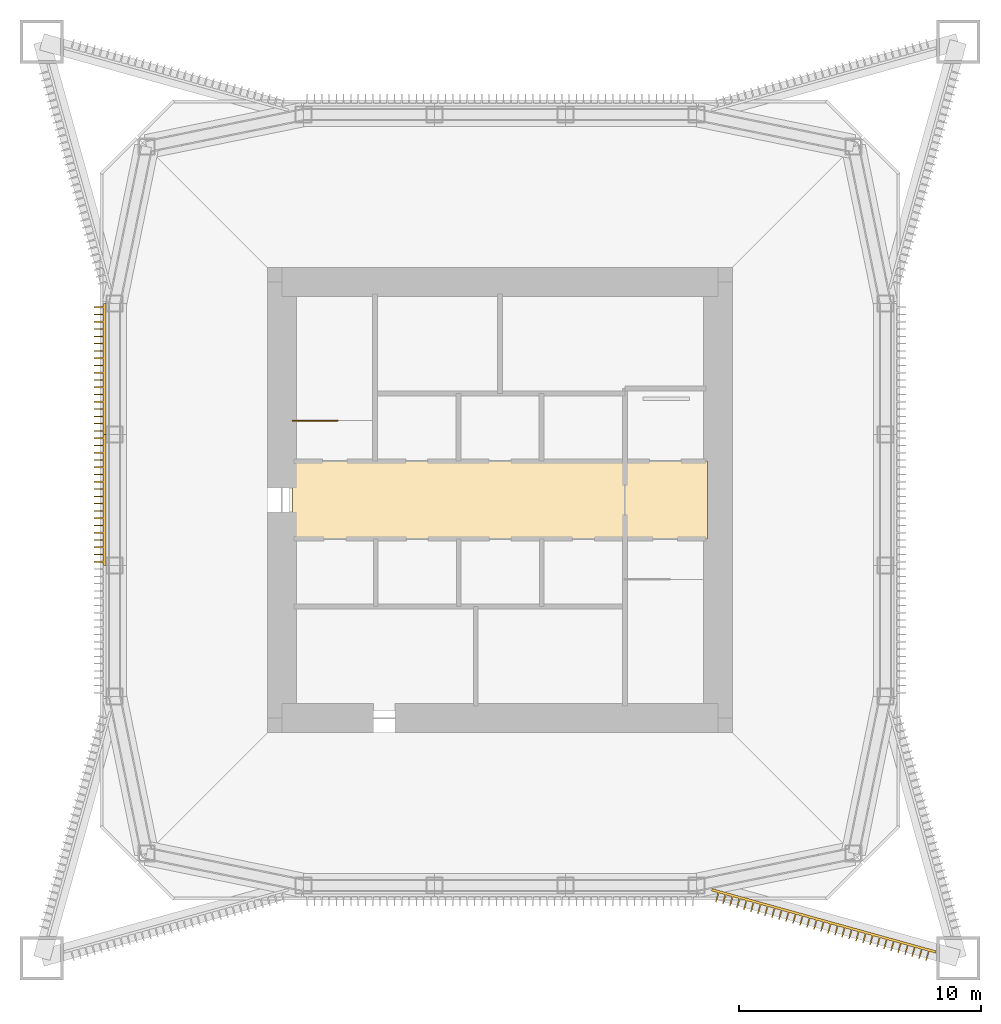
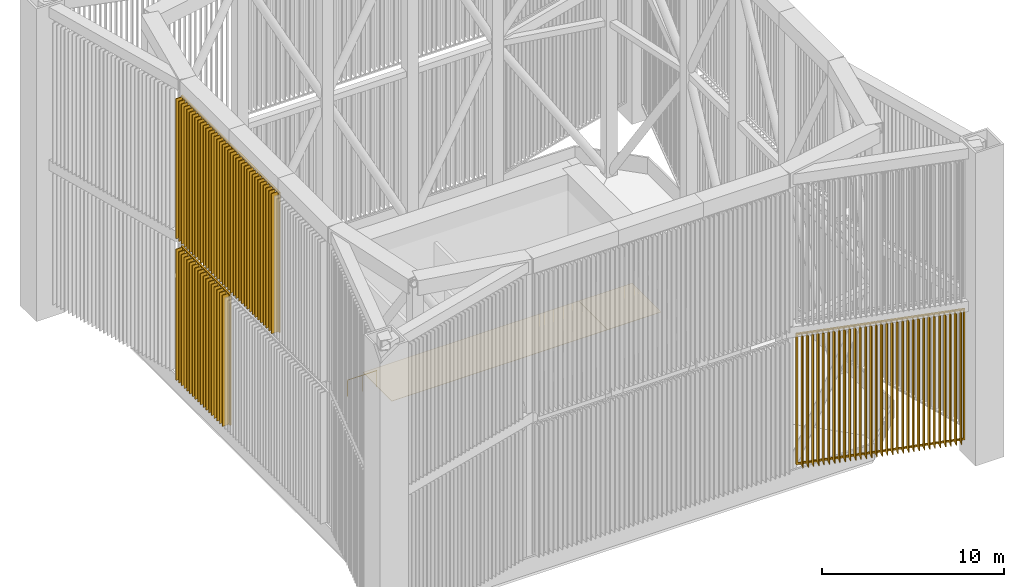
# One storey, part 7 of 13: 4 shading devices, 2 coverings, 1 railing.
"""IFC4 building model written with IfcOpenShell, lengths in metres."""

from ifc_helpers import new_model, si_unit, direction, frame, origin, origin_2d, place, context, subcontext, project, spatial, polyline, rectangle, circle, outline, extrude, material, layer, layer_set, constituent, constituent_set, type_object, element, save


model = new_model("IFC4")

# Units and contexts
model_context = context("Model", 3, precision=1e-05, world=origin(), true_north=direction((0.0, 1.0)))
body_context = subcontext(model_context, "Body", "Model", "MODEL_VIEW")
ifc_project = project(units=[si_unit("LENGTHUNIT", "METRE"), si_unit("AREAUNIT", "SQUARE_METRE"), si_unit("VOLUMEUNIT", "CUBIC_METRE"), si_unit("PLANEANGLEUNIT", "RADIAN"), si_unit("MASSUNIT", "GRAM", prefix="KILO")], contexts=[model_context])

# Site, building, storey
site_placement = place(None, origin())
site = spatial("IfcSite", under=ifc_project, at=site_placement, CompositionType="ELEMENT")
building_placement = place(site_placement, origin())
building = spatial("IfcBuilding", under=site, at=building_placement, Name="Iwan Alto Co-Living Towers", CompositionType="ELEMENT")
storey_placement = place(building_placement, frame((0.0, 0.0, 267.5)))
storey = spatial("IfcBuildingStorey", under=building, at=storey_placement, Name="RF", CompositionType="ELEMENT", Elevation=267.5)

# Coverings
ifc_material_1 = material(Name="Mineral fibre acoustic tiles on steel grid", Category="steel")
ifc_layer_1 = layer(ifc_material_1, 0.02001953125)
ifc_layer_set_1 = layer_set([ifc_layer_1], Name="ACOUSTIC TILE CEILING 20")
covering_type = type_object("IfcCoveringType", Name="ACOUSTIC TILE CEILING 20", PredefinedType="CEILING", material=ifc_layer_set_1)
covering_1_placement = place(storey_placement, frame((0.0, 0.0, 2.60009765625)))
element("IfcCovering", 1, at=covering_1_placement, inside=storey, type_object=covering_type, Name="Ceiling Lift lobby RF", PredefinedType="CEILING", context=body_context, shape_type="SweptSolid", body=[
    extrude(outline(polyline([(-8.550048828125, -1.60009765625), (-8.550048828125, 1.60009765625), (5.14990234375, 1.60009765625), (5.14990234375, -1.60009765625), (-8.550048828125, -1.60009765625)])), origin(), (0.0, 0.0, 1.0), 0.02001953125),
])
covering_2_placement = place(storey_placement, frame((0.0, 0.0, 2.60009765625)))
element("IfcCovering", 2, at=covering_2_placement, inside=storey, type_object=covering_type, Name="Ceiling Firefighting lobby RF", PredefinedType="CEILING", context=body_context, shape_type="SweptSolid", body=[
    extrude(outline(polyline([(5.14990234375, -1.60009765625), (5.14990234375, 1.60009765625), (8.550048828125, 1.60009765625), (8.550048828125, -1.60009765625), (5.14990234375, -1.60009765625)])), origin(), (0.0, 0.0, 1.0), 0.02001953125),
])

# Shading devices
ifc_material_2 = material(Name="Aluminium 6063-T6 bronze anodised", Category="aluminium")
ifc_layer_2 = layer(ifc_material_2, 0.39990234375, Name="Fins", Category="Finish")
ifc_material_3 = material(Name="Steel ASTM A36 galvanised frame", Category="steel")
ifc_layer_3 = layer(ifc_material_3, 0.10009765625, Name="Panel frame", Category="Framing")
ifc_layer_set_2 = layer_set([ifc_layer_2, ifc_layer_3], Name="CROWN FIN SCREEN CORNER PANEL")
shading_device_type_1 = type_object("IfcShadingDeviceType", Name="CROWN FIN SCREEN CORNER PANEL", PredefinedType="USERDEFINED", material=ifc_layer_set_2)
shading_device_1_placement = place(storey_placement, frame((0.0, 0.0, -267.5)))
element("IfcShadingDevice", 3, at=shading_device_1_placement, inside=storey, type_object=shading_device_type_1, Name="T1 crown fin screen SE-S lower", ObjectType="LOUVER", PredefinedType="USERDEFINED", context=body_context, shape_type="SweptSolid", body=[
    extrude(rectangle(XDim=9.59912109375, YDim=0.10009765625, at=origin_2d()), frame((13.3603515625, -17.361083984375, 268.599853515625), z_axis=(0.0, 0.0, 1.0), x_axis=(0.963517909615, -0.267643863841, 0.0)), (0.0, 0.0, 1.0), 0.10009765625),
    extrude(rectangle(XDim=9.59912109375, YDim=0.10009765625, at=origin_2d()), frame((13.3603515625, -17.361083984375, 277.300048828125), z_axis=(0.0, 0.0, 1.0), x_axis=(0.963517909615, -0.267643863841, 0.0)), (0.0, 0.0, 1.0), 0.10009765625),
    extrude(rectangle(XDim=0.10009765625, YDim=0.10009765625, at=origin_2d()), frame((8.7841796875, -16.090087890625, 268.69482421875), z_axis=(0.0, 0.0, 1.0), x_axis=(0.963517909615, -0.267643863841, 0.0)), (0.0, 0.0, 1.0), 8.610107421875),
    extrude(rectangle(XDim=0.10009765625, YDim=0.10009765625, at=origin_2d()), frame((17.9365234375, -18.63232421875, 268.69482421875), z_axis=(0.0, 0.0, 1.0), x_axis=(0.963517909615, -0.267643863841, 0.0)), (0.0, 0.0, 1.0), 8.610107421875),
    extrude(rectangle(XDim=0.050048828125, YDim=0.405029296875, at=origin_2d()), frame((8.958251953125, -16.395263671875, 268.60009765625), z_axis=(0.0, 0.0, 1.0), x_axis=(0.963517909615, -0.267643863841, 0.0)), (0.0, 0.0, 1.0), 8.800048828125),
    extrude(rectangle(XDim=0.050048828125, YDim=0.405029296875, at=origin_2d()), frame((9.247314453125, -16.4755859375, 268.60009765625), z_axis=(0.0, 0.0, 1.0), x_axis=(0.963517909615, -0.267643863841, 0.0)), (0.0, 0.0, 1.0), 8.800048828125),
    extrude(rectangle(XDim=0.050048828125, YDim=0.405029296875, at=origin_2d()), frame((9.536376953125, -16.555908203125, 268.60009765625), z_axis=(0.0, 0.0, 1.0), x_axis=(0.963517909615, -0.267643863841, 0.0)), (0.0, 0.0, 1.0), 8.800048828125),
    extrude(rectangle(XDim=0.050048828125, YDim=0.405029296875, at=origin_2d()), frame((9.825439453125, -16.63623046875, 268.60009765625), z_axis=(0.0, 0.0, 1.0), x_axis=(0.963517909615, -0.267643863841, 0.0)), (0.0, 0.0, 1.0), 8.800048828125),
    extrude(rectangle(XDim=0.050048828125, YDim=0.405029296875, at=origin_2d()), frame((10.114501953125, -16.71630859375, 268.60009765625), z_axis=(0.0, 0.0, 1.0), x_axis=(0.963517909615, -0.267643863841, 0.0)), (0.0, 0.0, 1.0), 8.800048828125),
    extrude(rectangle(XDim=0.050048828125, YDim=0.405029296875, at=origin_2d()), frame((10.403564453125, -16.796630859375, 268.60009765625), z_axis=(0.0, 0.0, 1.0), x_axis=(0.963517909615, -0.267643863841, 0.0)), (0.0, 0.0, 1.0), 8.800048828125),
    extrude(rectangle(XDim=0.050048828125, YDim=0.405029296875, at=origin_2d()), frame((10.692626953125, -16.876953125, 268.60009765625), z_axis=(0.0, 0.0, 1.0), x_axis=(0.963517909615, -0.267643863841, 0.0)), (0.0, 0.0, 1.0), 8.800048828125),
    extrude(rectangle(XDim=0.050048828125, YDim=0.405029296875, at=origin_2d()), frame((10.981689453125, -16.957275390625, 268.60009765625), z_axis=(0.0, 0.0, 1.0), x_axis=(0.963517909615, -0.267643863841, 0.0)), (0.0, 0.0, 1.0), 8.800048828125),
    extrude(rectangle(XDim=0.050048828125, YDim=0.405029296875, at=origin_2d()), frame((11.270751953125, -17.03759765625, 268.60009765625), z_axis=(0.0, 0.0, 1.0), x_axis=(0.963517909615, -0.267643863841, 0.0)), (0.0, 0.0, 1.0), 8.800048828125),
    extrude(rectangle(XDim=0.050048828125, YDim=0.405029296875, at=origin_2d()), frame((11.559814453125, -17.117919921875, 268.60009765625), z_axis=(0.0, 0.0, 1.0), x_axis=(0.963517909615, -0.267643863841, 0.0)), (0.0, 0.0, 1.0), 8.800048828125),
    extrude(rectangle(XDim=0.050048828125, YDim=0.405029296875, at=origin_2d()), frame((11.848876953125, -17.1982421875, 268.60009765625), z_axis=(0.0, 0.0, 1.0), x_axis=(0.963517909615, -0.267643863841, 0.0)), (0.0, 0.0, 1.0), 8.800048828125),
    extrude(rectangle(XDim=0.050048828125, YDim=0.405029296875, at=origin_2d()), frame((12.137939453125, -17.278564453125, 268.60009765625), z_axis=(0.0, 0.0, 1.0), x_axis=(0.963517909615, -0.267643863841, 0.0)), (0.0, 0.0, 1.0), 8.800048828125),
    extrude(rectangle(XDim=0.050048828125, YDim=0.405029296875, at=origin_2d()), frame((12.427001953125, -17.35888671875, 268.60009765625), z_axis=(0.0, 0.0, 1.0), x_axis=(0.963517909615, -0.267643863841, 0.0)), (0.0, 0.0, 1.0), 8.800048828125),
    extrude(rectangle(XDim=0.050048828125, YDim=0.405029296875, at=origin_2d()), frame((12.716064453125, -17.439208984375, 268.60009765625), z_axis=(0.0, 0.0, 1.0), x_axis=(0.963517909615, -0.267643863841, 0.0)), (0.0, 0.0, 1.0), 8.800048828125),
    extrude(rectangle(XDim=0.050048828125, YDim=0.405029296875, at=origin_2d()), frame((13.0048828125, -17.519287109375, 268.60009765625), z_axis=(0.0, 0.0, 1.0), x_axis=(0.963517909615, -0.267643863841, 0.0)), (0.0, 0.0, 1.0), 8.800048828125),
    extrude(rectangle(XDim=0.050048828125, YDim=0.405029296875, at=origin_2d()), frame((13.294189453125, -17.599609375, 268.60009765625), z_axis=(0.0, 0.0, 1.0), x_axis=(0.963517909615, -0.267643863841, 0.0)), (0.0, 0.0, 1.0), 8.800048828125),
    extrude(rectangle(XDim=0.050048828125, YDim=0.405029296875, at=origin_2d()), frame((13.5830078125, -17.679931640625, 268.60009765625), z_axis=(0.0, 0.0, 1.0), x_axis=(0.963517909615, -0.267643863841, 0.0)), (0.0, 0.0, 1.0), 8.800048828125),
    extrude(rectangle(XDim=0.050048828125, YDim=0.405029296875, at=origin_2d()), frame((13.872314453125, -17.76025390625, 268.60009765625), z_axis=(0.0, 0.0, 1.0), x_axis=(0.963517909615, -0.267643863841, 0.0)), (0.0, 0.0, 1.0), 8.800048828125),
    extrude(rectangle(XDim=0.050048828125, YDim=0.405029296875, at=origin_2d()), frame((14.161376953125, -17.840576171875, 268.60009765625), z_axis=(0.0, 0.0, 1.0), x_axis=(0.963517909615, -0.267643863841, 0.0)), (0.0, 0.0, 1.0), 8.800048828125),
    extrude(rectangle(XDim=0.050048828125, YDim=0.405029296875, at=origin_2d()), frame((14.4501953125, -17.9208984375, 268.60009765625), z_axis=(0.0, 0.0, 1.0), x_axis=(0.963517909615, -0.267643863841, 0.0)), (0.0, 0.0, 1.0), 8.800048828125),
    extrude(rectangle(XDim=0.050048828125, YDim=0.405029296875, at=origin_2d()), frame((14.739501953125, -18.001220703125, 268.60009765625), z_axis=(0.0, 0.0, 1.0), x_axis=(0.963517909615, -0.267643863841, 0.0)), (0.0, 0.0, 1.0), 8.800048828125),
    extrude(rectangle(XDim=0.050048828125, YDim=0.405029296875, at=origin_2d()), frame((15.0283203125, -18.081298828125, 268.60009765625), z_axis=(0.0, 0.0, 1.0), x_axis=(0.963517909615, -0.267643863841, 0.0)), (0.0, 0.0, 1.0), 8.800048828125),
    extrude(rectangle(XDim=0.050048828125, YDim=0.405029296875, at=origin_2d()), frame((15.3173828125, -18.16162109375, 268.60009765625), z_axis=(0.0, 0.0, 1.0), x_axis=(0.963517909615, -0.267643863841, 0.0)), (0.0, 0.0, 1.0), 8.800048828125),
    extrude(rectangle(XDim=0.050048828125, YDim=0.405029296875, at=origin_2d()), frame((15.6064453125, -18.241943359375, 268.60009765625), z_axis=(0.0, 0.0, 1.0), x_axis=(0.963517909615, -0.267643863841, 0.0)), (0.0, 0.0, 1.0), 8.800048828125),
    extrude(rectangle(XDim=0.050048828125, YDim=0.405029296875, at=origin_2d()), frame((15.8955078125, -18.322265625, 268.60009765625), z_axis=(0.0, 0.0, 1.0), x_axis=(0.963517909615, -0.267643863841, 0.0)), (0.0, 0.0, 1.0), 8.800048828125),
    extrude(rectangle(XDim=0.050048828125, YDim=0.405029296875, at=origin_2d()), frame((16.1845703125, -18.402587890625, 268.60009765625), z_axis=(0.0, 0.0, 1.0), x_axis=(0.963517909615, -0.267643863841, 0.0)), (0.0, 0.0, 1.0), 8.800048828125),
    extrude(rectangle(XDim=0.050048828125, YDim=0.405029296875, at=origin_2d()), frame((16.4736328125, -18.48291015625, 268.60009765625), z_axis=(0.0, 0.0, 1.0), x_axis=(0.963517909615, -0.267643863841, 0.0)), (0.0, 0.0, 1.0), 8.800048828125),
    extrude(rectangle(XDim=0.050048828125, YDim=0.405029296875, at=origin_2d()), frame((16.7626953125, -18.563232421875, 268.60009765625), z_axis=(0.0, 0.0, 1.0), x_axis=(0.963517909615, -0.267643863841, 0.0)), (0.0, 0.0, 1.0), 8.800048828125),
    extrude(rectangle(XDim=0.050048828125, YDim=0.405029296875, at=origin_2d()), frame((17.0517578125, -18.6435546875, 268.60009765625), z_axis=(0.0, 0.0, 1.0), x_axis=(0.963517909615, -0.267643863841, 0.0)), (0.0, 0.0, 1.0), 8.800048828125),
    extrude(rectangle(XDim=0.050048828125, YDim=0.405029296875, at=origin_2d()), frame((17.3408203125, -18.723876953125, 268.60009765625), z_axis=(0.0, 0.0, 1.0), x_axis=(0.963517909615, -0.267643863841, 0.0)), (0.0, 0.0, 1.0), 8.800048828125),
    extrude(rectangle(XDim=0.050048828125, YDim=0.405029296875, at=origin_2d()), frame((17.6298828125, -18.80419921875, 268.60009765625), z_axis=(0.0, 0.0, 1.0), x_axis=(0.963517909615, -0.267643863841, 0.0)), (0.0, 0.0, 1.0), 8.800048828125),
])
ifc_layer_4 = layer(ifc_material_2, 0.39990234375, Name="Fins", Category="Finish")
ifc_layer_5 = layer(ifc_material_3, 0.10009765625, Name="Panel frame", Category="Framing")
ifc_layer_set_3 = layer_set([ifc_layer_4, ifc_layer_5], Name="CROWN FIN SCREEN PANEL")
shading_device_type_2 = type_object("IfcShadingDeviceType", Name="CROWN FIN SCREEN PANEL", PredefinedType="USERDEFINED", material=ifc_layer_set_3)
shading_device_2_placement = place(storey_placement, frame((0.0, 0.0, -267.5)))
element("IfcShadingDevice", 4, at=shading_device_2_placement, inside=storey, type_object=shading_device_type_2, Name="T1 crown fin screen W-01 lower", ObjectType="LOUVER", PredefinedType="USERDEFINED", context=body_context, shape_type="SweptSolid", body=[
    extrude(rectangle(XDim=5.39990234375, YDim=0.10009765625, at=origin_2d()), frame((-16.300048828125, 5.39990234375, 268.599853515625), z_axis=(0.0, 0.0, 1.0), x_axis=(0.0, -1.0, 0.0)), (0.0, 0.0, 1.0), 0.10009765625),
    extrude(rectangle(XDim=5.39990234375, YDim=0.10009765625, at=origin_2d()), frame((-16.300048828125, 5.39990234375, 277.300048828125), z_axis=(0.0, 0.0, 1.0), x_axis=(0.0, -1.0, 0.0)), (0.0, 0.0, 1.0), 0.10009765625),
    extrude(rectangle(XDim=0.10009765625, YDim=0.10009765625, at=origin_2d()), frame((-16.300048828125, 8.050048828125, 268.69482421875), z_axis=(0.0, 0.0, 1.0), x_axis=(0.0, -1.0, 0.0)), (0.0, 0.0, 1.0), 8.610107421875),
    extrude(rectangle(XDim=0.10009765625, YDim=0.10009765625, at=origin_2d()), frame((-16.300048828125, 2.75, 268.69482421875), z_axis=(0.0, 0.0, 1.0), x_axis=(0.0, -1.0, 0.0)), (0.0, 0.0, 1.0), 8.610107421875),
    extrude(rectangle(XDim=0.050048828125, YDim=0.405029296875, at=origin_2d()), frame((-16.547607421875, 7.949951171875, 268.60009765625), z_axis=(0.0, 0.0, 1.0), x_axis=(0.0, -1.0, 0.0)), (0.0, 0.0, 1.0), 8.800048828125),
    extrude(rectangle(XDim=0.050048828125, YDim=0.405029296875, at=origin_2d()), frame((-16.547607421875, 7.64990234375, 268.60009765625), z_axis=(0.0, 0.0, 1.0), x_axis=(0.0, -1.0, 0.0)), (0.0, 0.0, 1.0), 8.800048828125),
    extrude(rectangle(XDim=0.050048828125, YDim=0.405029296875, at=origin_2d()), frame((-16.547607421875, 7.35009765625, 268.60009765625), z_axis=(0.0, 0.0, 1.0), x_axis=(0.0, -1.0, 0.0)), (0.0, 0.0, 1.0), 8.800048828125),
    extrude(rectangle(XDim=0.050048828125, YDim=0.405029296875, at=origin_2d()), frame((-16.547607421875, 7.050048828125, 268.60009765625), z_axis=(0.0, 0.0, 1.0), x_axis=(0.0, -1.0, 0.0)), (0.0, 0.0, 1.0), 8.800048828125),
    extrude(rectangle(XDim=0.050048828125, YDim=0.405029296875, at=origin_2d()), frame((-16.547607421875, 6.75, 268.60009765625), z_axis=(0.0, 0.0, 1.0), x_axis=(0.0, -1.0, 0.0)), (0.0, 0.0, 1.0), 8.800048828125),
    extrude(rectangle(XDim=0.050048828125, YDim=0.405029296875, at=origin_2d()), frame((-16.547607421875, 6.449951171875, 268.60009765625), z_axis=(0.0, 0.0, 1.0), x_axis=(0.0, -1.0, 0.0)), (0.0, 0.0, 1.0), 8.800048828125),
    extrude(rectangle(XDim=0.050048828125, YDim=0.405029296875, at=origin_2d()), frame((-16.547607421875, 6.14990234375, 268.60009765625), z_axis=(0.0, 0.0, 1.0), x_axis=(0.0, -1.0, 0.0)), (0.0, 0.0, 1.0), 8.800048828125),
    extrude(rectangle(XDim=0.050048828125, YDim=0.405029296875, at=origin_2d()), frame((-16.547607421875, 5.85009765625, 268.60009765625), z_axis=(0.0, 0.0, 1.0), x_axis=(0.0, -1.0, 0.0)), (0.0, 0.0, 1.0), 8.800048828125),
    extrude(rectangle(XDim=0.050048828125, YDim=0.405029296875, at=origin_2d()), frame((-16.547607421875, 5.550048828125, 268.60009765625), z_axis=(0.0, 0.0, 1.0), x_axis=(0.0, -1.0, 0.0)), (0.0, 0.0, 1.0), 8.800048828125),
    extrude(rectangle(XDim=0.050048828125, YDim=0.405029296875, at=origin_2d()), frame((-16.547607421875, 5.25, 268.60009765625), z_axis=(0.0, 0.0, 1.0), x_axis=(0.0, -1.0, 0.0)), (0.0, 0.0, 1.0), 8.800048828125),
    extrude(rectangle(XDim=0.050048828125, YDim=0.405029296875, at=origin_2d()), frame((-16.547607421875, 4.949951171875, 268.60009765625), z_axis=(0.0, 0.0, 1.0), x_axis=(0.0, -1.0, 0.0)), (0.0, 0.0, 1.0), 8.800048828125),
    extrude(rectangle(XDim=0.050048828125, YDim=0.405029296875, at=origin_2d()), frame((-16.547607421875, 4.64990234375, 268.60009765625), z_axis=(0.0, 0.0, 1.0), x_axis=(0.0, -1.0, 0.0)), (0.0, 0.0, 1.0), 8.800048828125),
    extrude(rectangle(XDim=0.050048828125, YDim=0.405029296875, at=origin_2d()), frame((-16.547607421875, 4.35009765625, 268.60009765625), z_axis=(0.0, 0.0, 1.0), x_axis=(0.0, -1.0, 0.0)), (0.0, 0.0, 1.0), 8.800048828125),
    extrude(rectangle(XDim=0.050048828125, YDim=0.405029296875, at=origin_2d()), frame((-16.547607421875, 4.050048828125, 268.60009765625), z_axis=(0.0, 0.0, 1.0), x_axis=(0.0, -1.0, 0.0)), (0.0, 0.0, 1.0), 8.800048828125),
    extrude(rectangle(XDim=0.050048828125, YDim=0.405029296875, at=origin_2d()), frame((-16.547607421875, 3.75, 268.60009765625), z_axis=(0.0, 0.0, 1.0), x_axis=(0.0, -1.0, 0.0)), (0.0, 0.0, 1.0), 8.800048828125),
    extrude(rectangle(XDim=0.050048828125, YDim=0.405029296875, at=origin_2d()), frame((-16.547607421875, 3.449951171875, 268.60009765625), z_axis=(0.0, 0.0, 1.0), x_axis=(0.0, -1.0, 0.0)), (0.0, 0.0, 1.0), 8.800048828125),
    extrude(rectangle(XDim=0.050048828125, YDim=0.405029296875, at=origin_2d()), frame((-16.547607421875, 3.14990234375, 268.60009765625), z_axis=(0.0, 0.0, 1.0), x_axis=(0.0, -1.0, 0.0)), (0.0, 0.0, 1.0), 8.800048828125),
    extrude(rectangle(XDim=0.050048828125, YDim=0.405029296875, at=origin_2d()), frame((-16.547607421875, 2.85009765625, 268.60009765625), z_axis=(0.0, 0.0, 1.0), x_axis=(0.0, -1.0, 0.0)), (0.0, 0.0, 1.0), 8.800048828125),
])
shading_device_3_placement = place(storey_placement, frame((0.0, 0.0, -267.5)))
element("IfcShadingDevice", 5, at=shading_device_3_placement, inside=storey, type_object=shading_device_type_2, Name="T1 crown fin screen W-01 upper", ObjectType="LOUVER", PredefinedType="USERDEFINED", context=body_context, shape_type="SweptSolid", body=[
    extrude(rectangle(XDim=5.39990234375, YDim=0.10009765625, at=origin_2d()), frame((-16.300048828125, 5.39990234375, 278.099853515625), z_axis=(0.0, 0.0, 1.0), x_axis=(0.0, -1.0, 0.0)), (0.0, 0.0, 1.0), 0.10009765625),
    extrude(rectangle(XDim=5.39990234375, YDim=0.10009765625, at=origin_2d()), frame((-16.300048828125, 5.39990234375, 287.39990234375), z_axis=(0.0, 0.0, 1.0), x_axis=(0.0, -1.0, 0.0)), (0.0, 0.0, 1.0), 0.10009765625),
    extrude(rectangle(XDim=0.10009765625, YDim=0.10009765625, at=origin_2d()), frame((-16.300048828125, 8.050048828125, 278.195068359375), z_axis=(0.0, 0.0, 1.0), x_axis=(0.0, -1.0, 0.0)), (0.0, 0.0, 1.0), 9.2099609375),
    extrude(rectangle(XDim=0.10009765625, YDim=0.10009765625, at=origin_2d()), frame((-16.300048828125, 2.75, 278.195068359375), z_axis=(0.0, 0.0, 1.0), x_axis=(0.0, -1.0, 0.0)), (0.0, 0.0, 1.0), 9.2099609375),
    extrude(rectangle(XDim=0.050048828125, YDim=0.405029296875, at=origin_2d()), frame((-16.547607421875, 7.949951171875, 278.10009765625), z_axis=(0.0, 0.0, 1.0), x_axis=(0.0, -1.0, 0.0)), (0.0, 0.0, 1.0), 9.39990234375),
    extrude(rectangle(XDim=0.050048828125, YDim=0.405029296875, at=origin_2d()), frame((-16.547607421875, 7.64990234375, 278.10009765625), z_axis=(0.0, 0.0, 1.0), x_axis=(0.0, -1.0, 0.0)), (0.0, 0.0, 1.0), 9.39990234375),
    extrude(rectangle(XDim=0.050048828125, YDim=0.405029296875, at=origin_2d()), frame((-16.547607421875, 7.35009765625, 278.10009765625), z_axis=(0.0, 0.0, 1.0), x_axis=(0.0, -1.0, 0.0)), (0.0, 0.0, 1.0), 9.39990234375),
    extrude(rectangle(XDim=0.050048828125, YDim=0.405029296875, at=origin_2d()), frame((-16.547607421875, 7.050048828125, 278.10009765625), z_axis=(0.0, 0.0, 1.0), x_axis=(0.0, -1.0, 0.0)), (0.0, 0.0, 1.0), 9.39990234375),
    extrude(rectangle(XDim=0.050048828125, YDim=0.405029296875, at=origin_2d()), frame((-16.547607421875, 6.75, 278.10009765625), z_axis=(0.0, 0.0, 1.0), x_axis=(0.0, -1.0, 0.0)), (0.0, 0.0, 1.0), 9.39990234375),
    extrude(rectangle(XDim=0.050048828125, YDim=0.405029296875, at=origin_2d()), frame((-16.547607421875, 6.449951171875, 278.10009765625), z_axis=(0.0, 0.0, 1.0), x_axis=(0.0, -1.0, 0.0)), (0.0, 0.0, 1.0), 9.39990234375),
    extrude(rectangle(XDim=0.050048828125, YDim=0.405029296875, at=origin_2d()), frame((-16.547607421875, 6.14990234375, 278.10009765625), z_axis=(0.0, 0.0, 1.0), x_axis=(0.0, -1.0, 0.0)), (0.0, 0.0, 1.0), 9.39990234375),
    extrude(rectangle(XDim=0.050048828125, YDim=0.405029296875, at=origin_2d()), frame((-16.547607421875, 5.85009765625, 278.10009765625), z_axis=(0.0, 0.0, 1.0), x_axis=(0.0, -1.0, 0.0)), (0.0, 0.0, 1.0), 9.39990234375),
    extrude(rectangle(XDim=0.050048828125, YDim=0.405029296875, at=origin_2d()), frame((-16.547607421875, 5.550048828125, 278.10009765625), z_axis=(0.0, 0.0, 1.0), x_axis=(0.0, -1.0, 0.0)), (0.0, 0.0, 1.0), 9.39990234375),
    extrude(rectangle(XDim=0.050048828125, YDim=0.405029296875, at=origin_2d()), frame((-16.547607421875, 5.25, 278.10009765625), z_axis=(0.0, 0.0, 1.0), x_axis=(0.0, -1.0, 0.0)), (0.0, 0.0, 1.0), 9.39990234375),
    extrude(rectangle(XDim=0.050048828125, YDim=0.405029296875, at=origin_2d()), frame((-16.547607421875, 4.949951171875, 278.10009765625), z_axis=(0.0, 0.0, 1.0), x_axis=(0.0, -1.0, 0.0)), (0.0, 0.0, 1.0), 9.39990234375),
    extrude(rectangle(XDim=0.050048828125, YDim=0.405029296875, at=origin_2d()), frame((-16.547607421875, 4.64990234375, 278.10009765625), z_axis=(0.0, 0.0, 1.0), x_axis=(0.0, -1.0, 0.0)), (0.0, 0.0, 1.0), 9.39990234375),
    extrude(rectangle(XDim=0.050048828125, YDim=0.405029296875, at=origin_2d()), frame((-16.547607421875, 4.35009765625, 278.10009765625), z_axis=(0.0, 0.0, 1.0), x_axis=(0.0, -1.0, 0.0)), (0.0, 0.0, 1.0), 9.39990234375),
    extrude(rectangle(XDim=0.050048828125, YDim=0.405029296875, at=origin_2d()), frame((-16.547607421875, 4.050048828125, 278.10009765625), z_axis=(0.0, 0.0, 1.0), x_axis=(0.0, -1.0, 0.0)), (0.0, 0.0, 1.0), 9.39990234375),
    extrude(rectangle(XDim=0.050048828125, YDim=0.405029296875, at=origin_2d()), frame((-16.547607421875, 3.75, 278.10009765625), z_axis=(0.0, 0.0, 1.0), x_axis=(0.0, -1.0, 0.0)), (0.0, 0.0, 1.0), 9.39990234375),
    extrude(rectangle(XDim=0.050048828125, YDim=0.405029296875, at=origin_2d()), frame((-16.547607421875, 3.449951171875, 278.10009765625), z_axis=(0.0, 0.0, 1.0), x_axis=(0.0, -1.0, 0.0)), (0.0, 0.0, 1.0), 9.39990234375),
    extrude(rectangle(XDim=0.050048828125, YDim=0.405029296875, at=origin_2d()), frame((-16.547607421875, 3.14990234375, 278.10009765625), z_axis=(0.0, 0.0, 1.0), x_axis=(0.0, -1.0, 0.0)), (0.0, 0.0, 1.0), 9.39990234375),
    extrude(rectangle(XDim=0.050048828125, YDim=0.405029296875, at=origin_2d()), frame((-16.547607421875, 2.85009765625, 278.10009765625), z_axis=(0.0, 0.0, 1.0), x_axis=(0.0, -1.0, 0.0)), (0.0, 0.0, 1.0), 9.39990234375),
])
shading_device_4_placement = place(storey_placement, frame((0.0, 0.0, -267.5)))
element("IfcShadingDevice", 6, at=shading_device_4_placement, inside=storey, type_object=shading_device_type_2, Name="T1 crown fin screen W-02 upper", ObjectType="LOUVER", PredefinedType="USERDEFINED", context=body_context, shape_type="SweptSolid", body=[
    extrude(rectangle(XDim=5.39990234375, YDim=0.10009765625, at=origin_2d()), frame((-16.300048828125, 0.0, 278.099853515625), z_axis=(0.0, 0.0, 1.0), x_axis=(0.0, -1.0, 0.0)), (0.0, 0.0, 1.0), 0.10009765625),
    extrude(rectangle(XDim=5.39990234375, YDim=0.10009765625, at=origin_2d()), frame((-16.300048828125, 0.0, 287.39990234375), z_axis=(0.0, 0.0, 1.0), x_axis=(0.0, -1.0, 0.0)), (0.0, 0.0, 1.0), 0.10009765625),
    extrude(rectangle(XDim=0.10009765625, YDim=0.10009765625, at=origin_2d()), frame((-16.300048828125, 2.64990234375, 278.195068359375), z_axis=(0.0, 0.0, 1.0), x_axis=(0.0, -1.0, 0.0)), (0.0, 0.0, 1.0), 9.2099609375),
    extrude(rectangle(XDim=0.10009765625, YDim=0.10009765625, at=origin_2d()), frame((-16.300048828125, -2.64990234375, 278.195068359375), z_axis=(0.0, 0.0, 1.0), x_axis=(0.0, -1.0, 0.0)), (0.0, 0.0, 1.0), 9.2099609375),
    extrude(rectangle(XDim=0.050048828125, YDim=0.405029296875, at=origin_2d()), frame((-16.547607421875, 2.550048828125, 278.10009765625), z_axis=(0.0, 0.0, 1.0), x_axis=(0.0, -1.0, 0.0)), (0.0, 0.0, 1.0), 9.39990234375),
    extrude(rectangle(XDim=0.050048828125, YDim=0.405029296875, at=origin_2d()), frame((-16.547607421875, 2.25, 278.10009765625), z_axis=(0.0, 0.0, 1.0), x_axis=(0.0, -1.0, 0.0)), (0.0, 0.0, 1.0), 9.39990234375),
    extrude(rectangle(XDim=0.050048828125, YDim=0.405029296875, at=origin_2d()), frame((-16.547607421875, 1.949951171875, 278.10009765625), z_axis=(0.0, 0.0, 1.0), x_axis=(0.0, -1.0, 0.0)), (0.0, 0.0, 1.0), 9.39990234375),
    extrude(rectangle(XDim=0.050048828125, YDim=0.405029296875, at=origin_2d()), frame((-16.547607421875, 1.64990234375, 278.10009765625), z_axis=(0.0, 0.0, 1.0), x_axis=(0.0, -1.0, 0.0)), (0.0, 0.0, 1.0), 9.39990234375),
    extrude(rectangle(XDim=0.050048828125, YDim=0.405029296875, at=origin_2d()), frame((-16.547607421875, 1.35009765625, 278.10009765625), z_axis=(0.0, 0.0, 1.0), x_axis=(0.0, -1.0, 0.0)), (0.0, 0.0, 1.0), 9.39990234375),
    extrude(rectangle(XDim=0.050048828125, YDim=0.405029296875, at=origin_2d()), frame((-16.547607421875, 1.050048828125, 278.10009765625), z_axis=(0.0, 0.0, 1.0), x_axis=(0.0, -1.0, 0.0)), (0.0, 0.0, 1.0), 9.39990234375),
    extrude(rectangle(XDim=0.050048828125, YDim=0.405029296875, at=origin_2d()), frame((-16.547607421875, 0.75, 278.10009765625), z_axis=(0.0, 0.0, 1.0), x_axis=(0.0, -1.0, 0.0)), (0.0, 0.0, 1.0), 9.39990234375),
    extrude(rectangle(XDim=0.050048828125, YDim=0.405029296875, at=origin_2d()), frame((-16.547607421875, 0.449951171875, 278.10009765625), z_axis=(0.0, 0.0, 1.0), x_axis=(0.0, -1.0, 0.0)), (0.0, 0.0, 1.0), 9.39990234375),
    extrude(rectangle(XDim=0.050048828125, YDim=0.405029296875, at=origin_2d()), frame((-16.547607421875, 0.14990234375, 278.10009765625), z_axis=(0.0, 0.0, 1.0), x_axis=(0.0, -1.0, 0.0)), (0.0, 0.0, 1.0), 9.39990234375),
    extrude(rectangle(XDim=0.050048828125, YDim=0.405029296875, at=origin_2d()), frame((-16.547607421875, -0.14990234375, 278.10009765625), z_axis=(0.0, 0.0, 1.0), x_axis=(0.0, -1.0, 0.0)), (0.0, 0.0, 1.0), 9.39990234375),
    extrude(rectangle(XDim=0.050048828125, YDim=0.405029296875, at=origin_2d()), frame((-16.547607421875, -0.449951171875, 278.10009765625), z_axis=(0.0, 0.0, 1.0), x_axis=(0.0, -1.0, 0.0)), (0.0, 0.0, 1.0), 9.39990234375),
    extrude(rectangle(XDim=0.050048828125, YDim=0.405029296875, at=origin_2d()), frame((-16.547607421875, -0.75, 278.10009765625), z_axis=(0.0, 0.0, 1.0), x_axis=(0.0, -1.0, 0.0)), (0.0, 0.0, 1.0), 9.39990234375),
    extrude(rectangle(XDim=0.050048828125, YDim=0.405029296875, at=origin_2d()), frame((-16.547607421875, -1.050048828125, 278.10009765625), z_axis=(0.0, 0.0, 1.0), x_axis=(0.0, -1.0, 0.0)), (0.0, 0.0, 1.0), 9.39990234375),
    extrude(rectangle(XDim=0.050048828125, YDim=0.405029296875, at=origin_2d()), frame((-16.547607421875, -1.35009765625, 278.10009765625), z_axis=(0.0, 0.0, 1.0), x_axis=(0.0, -1.0, 0.0)), (0.0, 0.0, 1.0), 9.39990234375),
    extrude(rectangle(XDim=0.050048828125, YDim=0.405029296875, at=origin_2d()), frame((-16.547607421875, -1.64990234375, 278.10009765625), z_axis=(0.0, 0.0, 1.0), x_axis=(0.0, -1.0, 0.0)), (0.0, 0.0, 1.0), 9.39990234375),
    extrude(rectangle(XDim=0.050048828125, YDim=0.405029296875, at=origin_2d()), frame((-16.547607421875, -1.949951171875, 278.10009765625), z_axis=(0.0, 0.0, 1.0), x_axis=(0.0, -1.0, 0.0)), (0.0, 0.0, 1.0), 9.39990234375),
    extrude(rectangle(XDim=0.050048828125, YDim=0.405029296875, at=origin_2d()), frame((-16.547607421875, -2.25, 278.10009765625), z_axis=(0.0, 0.0, 1.0), x_axis=(0.0, -1.0, 0.0)), (0.0, 0.0, 1.0), 9.39990234375),
    extrude(rectangle(XDim=0.050048828125, YDim=0.405029296875, at=origin_2d()), frame((-16.547607421875, -2.550048828125, 278.10009765625), z_axis=(0.0, 0.0, 1.0), x_axis=(0.0, -1.0, 0.0)), (0.0, 0.0, 1.0), 9.39990234375),
])

# Railing
ifc_material_4 = material(Name="Steel ASTM A500 Gr C", Category="steel")
ifc_constituent_1 = constituent(ifc_material_4, Name="Rails and posts", Category="Framing")
ifc_material_5 = material(Name="Steel ASTM A36", Category="steel")
ifc_constituent_2 = constituent(ifc_material_5, Name="Bar infill", Category="Infill")
ifc_constituent_set = constituent_set(constituents=[ifc_constituent_1, ifc_constituent_2], Name="STAIR GUARD 1100")
railing_type = type_object("IfcRailingType", Name="STAIR GUARD 1100", PredefinedType="GUARDRAIL", material=ifc_constituent_set)
railing_placement = place(storey_placement, frame((-8.550048828125, 3.27001953125, 0.0)))
element("IfcRailing", 7, at=railing_placement, inside=storey, type_object=railing_type, Name="Stair T1-S1 well guard RF", PredefinedType="GUARDRAIL", context=body_context, shape_type="SweptSolid", body=[
    extrude(circle(Radius=0.02392578125, at=origin_2d()), frame((0.0, 0.0, 1.076171875), z_axis=(1.0, 0.0, 0.0), x_axis=(0.0, 1.0, 0.0)), (0.0, 0.0, 1.0), 1.85009765625),
    extrude(circle(Radius=0.02099609375, at=origin_2d()), origin(), (0.0, 0.0, 1.0), 1.052001953125),
    extrude(circle(Radius=0.02099609375, at=origin_2d()), frame((0.925048828125, 0.0, 0.0)), (0.0, 0.0, 1.0), 1.052001953125),
    extrude(circle(Radius=0.02099609375, at=origin_2d()), frame((1.85009765625, 0.0, 0.0)), (0.0, 0.0, 1.0), 1.052001953125),
])

save(model, "model.ifc")
